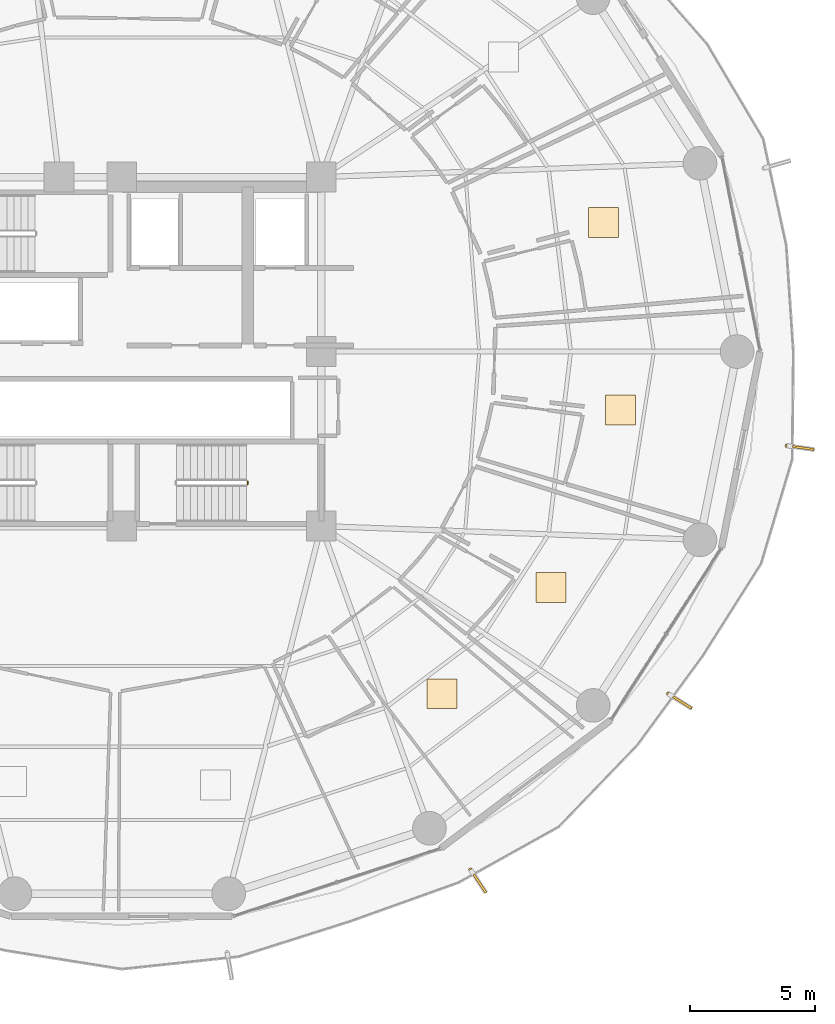
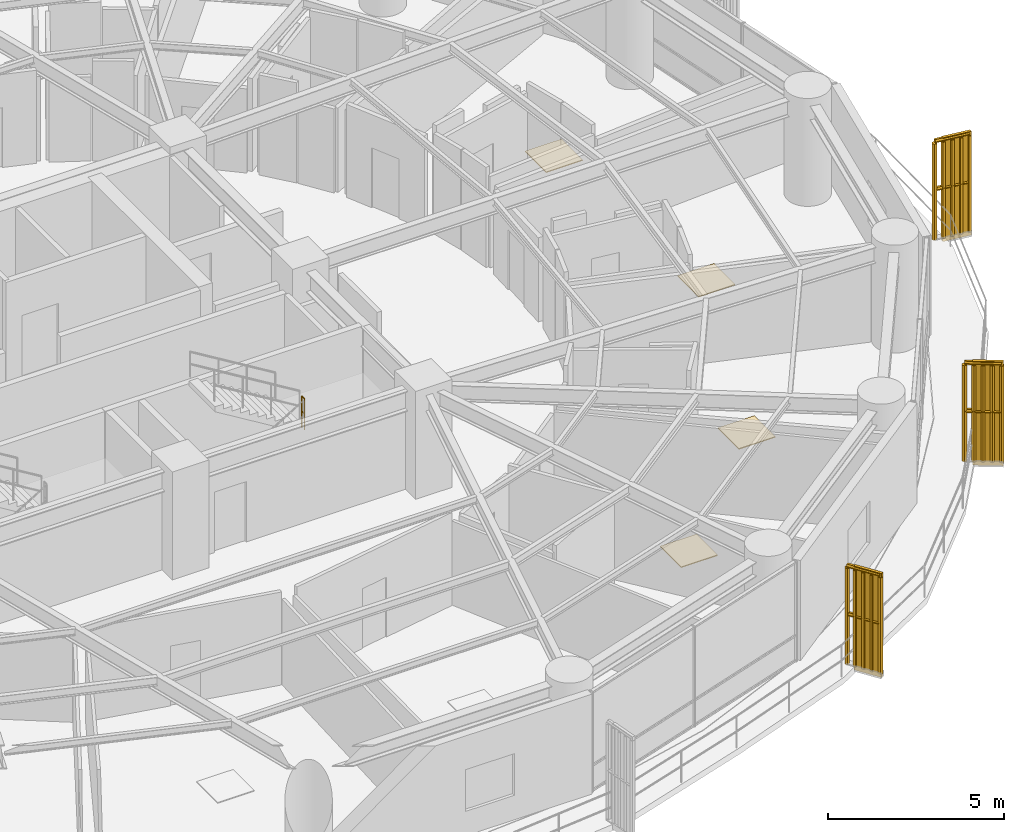
# One storey, part 35 of 36: 4 coverings, 4 railings, 3 shading devices.
"""IFC4 building model written with IfcOpenShell, lengths in metres."""

from ifc_helpers import new_model, si_unit, direction, frame, origin, origin_2d, place, context, subcontext, project, spatial, polyline, rectangle, outline, extrude, source, transform, mapped, material, layer, layer_set, type_object, element, save


model = new_model("IFC4")

# Units and contexts
model_context = context("Model", 3, precision=1e-05, world=origin(), true_north=direction((0.0, 1.0)))
body_context = subcontext(model_context, "Body", "Model", "MODEL_VIEW")
ifc_project = project(units=[si_unit("LENGTHUNIT", "METRE"), si_unit("AREAUNIT", "SQUARE_METRE"), si_unit("VOLUMEUNIT", "CUBIC_METRE"), si_unit("PLANEANGLEUNIT", "RADIAN"), si_unit("MASSUNIT", "GRAM", prefix="KILO")], contexts=[model_context])

# Site, building, storey
site_placement = place(None, origin())
site = spatial("IfcSite", under=ifc_project, at=site_placement, CompositionType="ELEMENT")
building_placement = place(site_placement, origin())
building = spatial("IfcBuilding", under=site, at=building_placement, Name="Kelanora Arch Commons", CompositionType="ELEMENT")
storey_placement = place(building_placement, frame((0.0, 0.0, 102.60009765625)))
storey = spatial("IfcBuildingStorey", under=building, at=storey_placement, Name="L26", CompositionType="ELEMENT", Elevation=102.60009765625)

# Railings
ifc_material_1 = material(Name="Anodised bronze vertical shading fin rib assembly")
railing_type_1 = type_object("IfcRailingType", Name="RAIL-FIN-BRZ", PredefinedType="BALUSTRADE", material=ifc_material_1)
railing_1_placement = place(storey_placement, frame((87.986083984375, 37.22119140625, -0.02001953125)))
element("IfcRailing", 1, at=railing_1_placement, inside=storey, type_object=railing_type_1, Name="Sweeping Bronze Vertical Fin Blade L26-11", PredefinedType="BALUSTRADE", context=body_context, shape_type="SweptSolid", body=[
    extrude(outline(polyline([(0.06982421875, 0.0), (0.034912109375, 0.060546875), (-0.034912109375, 0.060546875), (-0.06982421875, 0.0), (-0.034912109375, -0.060546875), (0.034912109375, -0.060546875), (0.06982421875, 0.0)])), frame((0.0, 0.0, 3.419921875), z_axis=(0.558333405644, -0.82961666337, 0.0), x_axis=(0.82961666337, 0.558333405644, 0.0)), (0.0, 0.0, 1.0), 1.052978515625),
    extrude(outline(polyline([(0.06982421875, 0.0), (0.034912109375, 0.060546875), (-0.034912109375, 0.060546875), (-0.06982421875, 0.0), (-0.034912109375, -0.060546875), (0.034912109375, -0.060546875), (0.06982421875, 0.0)])), frame((0.0, 0.0, 1.7451171875), z_axis=(0.558333405644, -0.82961666337, 0.0), x_axis=(0.82961666337, 0.558333405644, 0.0)), (0.0, 0.0, 1.0), 1.052978515625),
    extrude(outline(polyline([(0.080078125, 0.0), (0.0400390625, 0.0693359375), (-0.0400390625, 0.0693359375), (-0.080078125, 0.0), (-0.0400390625, -0.0693359375), (0.0400390625, -0.0693359375), (0.080078125, 0.0)])), origin(), (0.0, 0.0, 1.0), 3.35009765625),
    extrude(outline(polyline([(0.080078125, 0.0), (0.0400390625, 0.0693359375), (-0.0400390625, 0.0693359375), (-0.080078125, 0.0), (-0.0400390625, -0.0693359375), (0.0400390625, -0.0693359375), (0.080078125, 0.0)])), frame((0.14697265625, -0.21826171875, 0.0)), (0.0, 0.0, 1.0), 3.35009765625),
    extrude(outline(polyline([(0.080078125, 0.0), (0.0400390625, 0.0693359375), (-0.0400390625, 0.0693359375), (-0.080078125, 0.0), (-0.0400390625, -0.0693359375), (0.0400390625, -0.0693359375), (0.080078125, 0.0)])), frame((0.2939453125, -0.436767578125, 0.0)), (0.0, 0.0, 1.0), 3.35009765625),
    extrude(outline(polyline([(0.080078125, 0.0), (0.0400390625, 0.0693359375), (-0.0400390625, 0.0693359375), (-0.080078125, 0.0), (-0.0400390625, -0.0693359375), (0.0400390625, -0.0693359375), (0.080078125, 0.0)])), frame((0.44091796875, -0.6552734375, 0.0)), (0.0, 0.0, 1.0), 3.35009765625),
    extrude(outline(polyline([(0.080078125, 0.0), (0.0400390625, 0.0693359375), (-0.0400390625, 0.0693359375), (-0.080078125, 0.0), (-0.0400390625, -0.0693359375), (0.0400390625, -0.0693359375), (0.080078125, 0.0)])), frame((0.587890625, -0.87353515625, 0.0)), (0.0, 0.0, 1.0), 3.35009765625),
])
railing_2_placement = place(storey_placement, frame((95.916015625, 44.275390625, -0.02001953125)))
element("IfcRailing", 2, at=railing_2_placement, inside=storey, type_object=railing_type_1, Name="Sweeping Bronze Vertical Fin Blade L26-12", PredefinedType="BALUSTRADE", context=body_context, shape_type="SweptSolid", body=[
    extrude(outline(polyline([(0.06982421875, 0.0), (0.034912109375, 0.060546875), (-0.034912109375, 0.060546875), (-0.06982421875, 0.0), (-0.034912109375, -0.060546875), (0.034912109375, -0.060546875), (0.06982421875, 0.0)])), frame((0.0, 0.0, 3.419921875), z_axis=(0.847581263473, -0.530665621469, 0.0), x_axis=(0.530665621469, 0.847581263473, 0.0)), (0.0, 0.0, 1.0), 1.052978515625),
    extrude(outline(polyline([(0.06982421875, 0.0), (0.034912109375, 0.060546875), (-0.034912109375, 0.060546875), (-0.06982421875, 0.0), (-0.034912109375, -0.060546875), (0.034912109375, -0.060546875), (0.06982421875, 0.0)])), frame((0.0, 0.0, 1.7451171875), z_axis=(0.847581263473, -0.530665621469, 0.0), x_axis=(0.530665621469, 0.847581263473, 0.0)), (0.0, 0.0, 1.0), 1.052978515625),
    extrude(outline(polyline([(0.080078125, 0.0), (0.0400390625, 0.0693359375), (-0.0400390625, 0.0693359375), (-0.080078125, 0.0), (-0.0400390625, -0.0693359375), (0.0400390625, -0.0693359375), (0.080078125, 0.0)])), origin(), (0.0, 0.0, 1.0), 3.35009765625),
    extrude(outline(polyline([(0.080078125, 0.0), (0.0400390625, 0.0693359375), (-0.0400390625, 0.0693359375), (-0.080078125, 0.0), (-0.0400390625, -0.0693359375), (0.0400390625, -0.0693359375), (0.080078125, 0.0)])), frame((0.22314453125, -0.1396484375, 0.0)), (0.0, 0.0, 1.0), 3.35009765625),
    extrude(outline(polyline([(0.080078125, 0.0), (0.0400390625, 0.0693359375), (-0.0400390625, 0.0693359375), (-0.080078125, 0.0), (-0.0400390625, -0.0693359375), (0.0400390625, -0.0693359375), (0.080078125, 0.0)])), frame((0.4462890625, -0.279296875, 0.0)), (0.0, 0.0, 1.0), 3.35009765625),
    extrude(outline(polyline([(0.080078125, 0.0), (0.0400390625, 0.0693359375), (-0.0400390625, 0.0693359375), (-0.080078125, 0.0), (-0.0400390625, -0.0693359375), (0.0400390625, -0.0693359375), (0.080078125, 0.0)])), frame((0.66943359375, -0.419189453125, 0.0)), (0.0, 0.0, 1.0), 3.35009765625),
    extrude(outline(polyline([(0.080078125, 0.0), (0.0400390625, 0.0693359375), (-0.0400390625, 0.0693359375), (-0.080078125, 0.0), (-0.0400390625, -0.0693359375), (0.0400390625, -0.0693359375), (0.080078125, 0.0)])), frame((0.892578125, -0.558837890625, 0.0)), (0.0, 0.0, 1.0), 3.35009765625),
])
railing_3_placement = place(storey_placement, frame((100.67529296875, 54.224365234375, -0.02001953125)))
element("IfcRailing", 3, at=railing_3_placement, inside=storey, type_object=railing_type_1, Name="Sweeping Bronze Vertical Fin Blade L26-13", PredefinedType="BALUSTRADE", context=body_context, shape_type="SweptSolid", body=[
    extrude(outline(polyline([(0.06982421875, 0.0), (0.034912109375, 0.060546875), (-0.034912109375, 0.060546875), (-0.06982421875, 0.0), (-0.034912109375, -0.060546875), (0.034912109375, -0.060546875), (0.06982421875, 0.0)])), frame((0.0, 0.0, 3.419921875), z_axis=(0.99014788409, -0.140025596345, 0.0), x_axis=(0.140025596345, 0.99014788409, 0.0)), (0.0, 0.0, 1.0), 1.052978515625),
    extrude(outline(polyline([(0.06982421875, 0.0), (0.034912109375, 0.060546875), (-0.034912109375, 0.060546875), (-0.06982421875, 0.0), (-0.034912109375, -0.060546875), (0.034912109375, -0.060546875), (0.06982421875, 0.0)])), frame((0.0, 0.0, 1.7451171875), z_axis=(0.99014788409, -0.140025596345, 0.0), x_axis=(0.140025596345, 0.99014788409, 0.0)), (0.0, 0.0, 1.0), 1.052978515625),
    extrude(outline(polyline([(0.080078125, 0.0), (0.0400390625, 0.0693359375), (-0.0400390625, 0.0693359375), (-0.080078125, 0.0), (-0.0400390625, -0.0693359375), (0.0400390625, -0.0693359375), (0.080078125, 0.0)])), origin(), (0.0, 0.0, 1.0), 3.35009765625),
    extrude(outline(polyline([(0.080078125, 0.0), (0.0400390625, 0.0693359375), (-0.0400390625, 0.0693359375), (-0.080078125, 0.0), (-0.0400390625, -0.0693359375), (0.0400390625, -0.0693359375), (0.080078125, 0.0)])), frame((0.2607421875, -0.036865234375, 0.0)), (0.0, 0.0, 1.0), 3.35009765625),
    extrude(outline(polyline([(0.080078125, 0.0), (0.0400390625, 0.0693359375), (-0.0400390625, 0.0693359375), (-0.080078125, 0.0), (-0.0400390625, -0.0693359375), (0.0400390625, -0.0693359375), (0.080078125, 0.0)])), frame((0.521484375, -0.07373046875, 0.0)), (0.0, 0.0, 1.0), 3.35009765625),
    extrude(outline(polyline([(0.080078125, 0.0), (0.0400390625, 0.0693359375), (-0.0400390625, 0.0693359375), (-0.080078125, 0.0), (-0.0400390625, -0.0693359375), (0.0400390625, -0.0693359375), (0.080078125, 0.0)])), frame((0.781982421875, -0.110595703125, 0.0)), (0.0, 0.0, 1.0), 3.35009765625),
    extrude(outline(polyline([(0.080078125, 0.0), (0.0400390625, 0.0693359375), (-0.0400390625, 0.0693359375), (-0.080078125, 0.0), (-0.0400390625, -0.0693359375), (0.0400390625, -0.0693359375), (0.080078125, 0.0)])), frame((1.042724609375, -0.1474609375, 0.0)), (0.0, 0.0, 1.0), 3.35009765625),
])
ifc_material_2 = material(Name="Painted steel stair well guard", Category="steel")
railing_type_2 = type_object("IfcRailingType", Name="RAIL-STAIR-GRD", PredefinedType="GUARDRAIL", material=ifc_material_2)
railing_4_placement = place(storey_placement, frame((79.050048828125, 52.659912109375, 1.875)))
element("IfcRailing", 4, at=railing_4_placement, inside=storey, type_object=railing_type_2, Name="L26 ST-T2 stair guard 2", PredefinedType="GUARDRAIL", context=body_context, shape_type="SweptSolid", body=[
    extrude(outline(polyline([(0.02392578125, 0.0), (0.011962890625, 0.020751953125), (-0.011962890625, 0.020751953125), (-0.02392578125, 0.0), (-0.011962890625, -0.020751953125), (0.011962890625, -0.020751953125), (0.02392578125, 0.0)])), frame((0.0, 0.0, 1.076171875), z_axis=(0.0, 1.0, 0.0), x_axis=(-1.0, 0.0, 0.0)), (0.0, 0.0, 1.0), 0.150146484375),
    extrude(outline(polyline([(0.02392578125, 0.0), (0.011962890625, 0.020751953125), (-0.011962890625, 0.020751953125), (-0.02392578125, 0.0), (-0.011962890625, -0.020751953125), (0.011962890625, -0.020751953125), (0.02392578125, 0.0)])), frame((0.0, 0.0, 0.550048828125), z_axis=(0.0, 1.0, 0.0), x_axis=(-1.0, 0.0, 0.0)), (0.0, 0.0, 1.0), 0.150146484375),
    extrude(outline(polyline([(0.02099609375, 0.0), (0.010498046875, 0.01806640625), (-0.010498046875, 0.01806640625), (-0.02099609375, 0.0), (-0.010498046875, -0.01806640625), (0.010498046875, -0.01806640625), (0.02099609375, 0.0)])), origin(), (0.0, 0.0, 1.0), 1.052001953125),
    extrude(outline(polyline([(0.02099609375, 0.0), (0.010498046875, 0.01806640625), (-0.010498046875, 0.01806640625), (-0.02099609375, 0.0), (-0.010498046875, -0.01806640625), (0.010498046875, -0.01806640625), (0.02099609375, 0.0)])), frame((0.0, 0.150146484375, 0.0)), (0.0, 0.0, 1.0), 1.052001953125),
])

# Shading devices
ifc_material_3 = material(Name="Terracotta ceramic-clad extruded aluminium fin", Category="masonry")
shading_device_type = type_object("IfcShadingDeviceType", Name="SHD-FIN-FLARE", PredefinedType="USERDEFINED", material=ifc_material_3)
shared_shape_1 = source(origin(), body_context, "Body", "SweptSolid", [
    extrude(rectangle(XDim=0.8798828125, YDim=0.090087890625, at=origin_2d()), origin(), (0.0, 0.0, 1.0), 3.610107421875),
])
for number, where, z_axis, x_axis, name in (
    (5, (88.358154296875, 36.668212890625, -0.14013671875), (0.0, 0.0, 1.0), (0.558324430902, -0.829622703317, 0.0), "Sweeping Terracotta Fin L26-11"),
    (6, (96.48095703125, 43.921630859375, -0.14013671875), (0.0, 0.0, 1.0), (0.847492701108, -0.5308070474, 0.0), "Sweeping Terracotta Fin L26-12"),
    (7, (101.335205078125, 54.131103515625, -0.14013671875), (0.0, 0.0, 1.0), (0.990121784063, -0.140210030757, 0.0), "Sweeping Terracotta Fin L26-13"),
):
    element("IfcShadingDevice", number, at=place(storey_placement, frame(where, z_axis=z_axis, x_axis=x_axis)), inside=storey, type_object=shading_device_type, Name=name, ObjectType="FIN", PredefinedType="USERDEFINED", context=body_context, shape_type="MappedRepresentation", body=[
        mapped(shared_shape_1, transform((0.0, 0.0, 0.0), scale=1.0)),
    ])

# Coverings
ifc_material_4 = material(Name="Polished local granite terrazzo flooring", Category="masonry")
ifc_layer = layer(ifc_material_4, 0.030029296875)
ifc_layer_set = layer_set([ifc_layer], Name="Polished local granite terrazzo flooring")
covering_type = type_object("IfcCoveringType", Name="COV-FLR-TER", PredefinedType="FLOORING", material=ifc_layer_set)
shared_shape_2 = source(origin(), body_context, "Body", "SweptSolid", [
    extrude(rectangle(XDim=1.199951171875, YDim=1.199951171875, at=origin_2d()), origin(), (0.0, 0.0, 1.0), 0.030029296875),
])
for number, where, z_axis, x_axis, name in (
    (8, (93.32861328125, 63.181884765625, 0.0), (0.0, 0.0, 1.0), (1.0, 0.0, 0.0), "Co-Living Studio L26-01 Terrazzo Finish"),
    (9, (86.848388671875, 44.27392578125, 0.0), (0.0, 0.0, 1.0), (1.0, 0.0, 0.0), "Tutorial Study Alcove L26-13 Terrazzo Finish"),
    (10, (91.210693359375, 48.541015625, 0.0), (0.0, 0.0, 1.0), (1.0, 0.0, 0.0), "Co-Living Studio L26-14 Terrazzo Finish"),
    (11, (93.99853515625, 55.658935546875, 0.0), (0.0, 0.0, 1.0), (1.0, 0.0, 0.0), "Co-Living Studio L26-15 Terrazzo Finish"),
):
    element("IfcCovering", number, at=place(storey_placement, frame(where, z_axis=z_axis, x_axis=x_axis)), inside=storey, type_object=covering_type, Name=name, PredefinedType="FLOORING", context=body_context, shape_type="MappedRepresentation", body=[
        mapped(shared_shape_2, transform((0.0, 0.0, 0.0), scale=1.0)),
    ])

save(model, "model.ifc")
